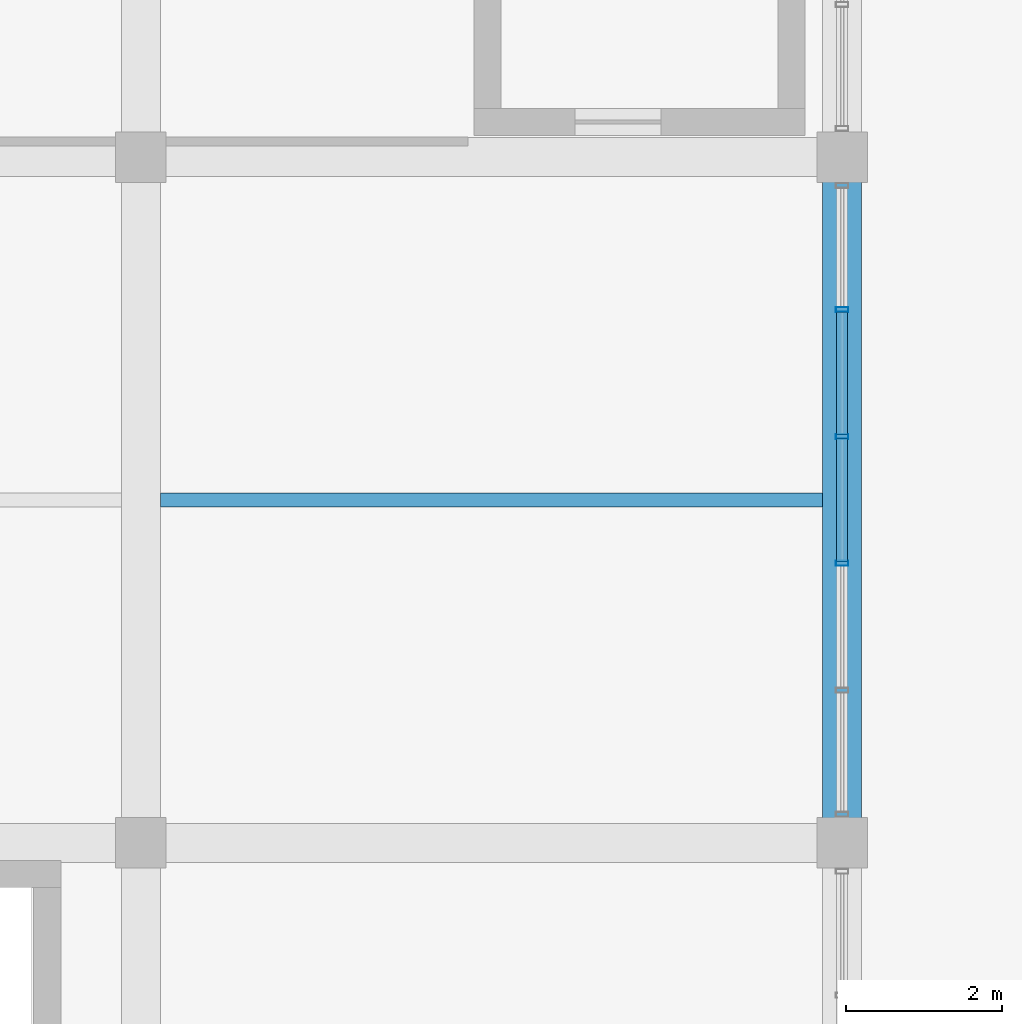
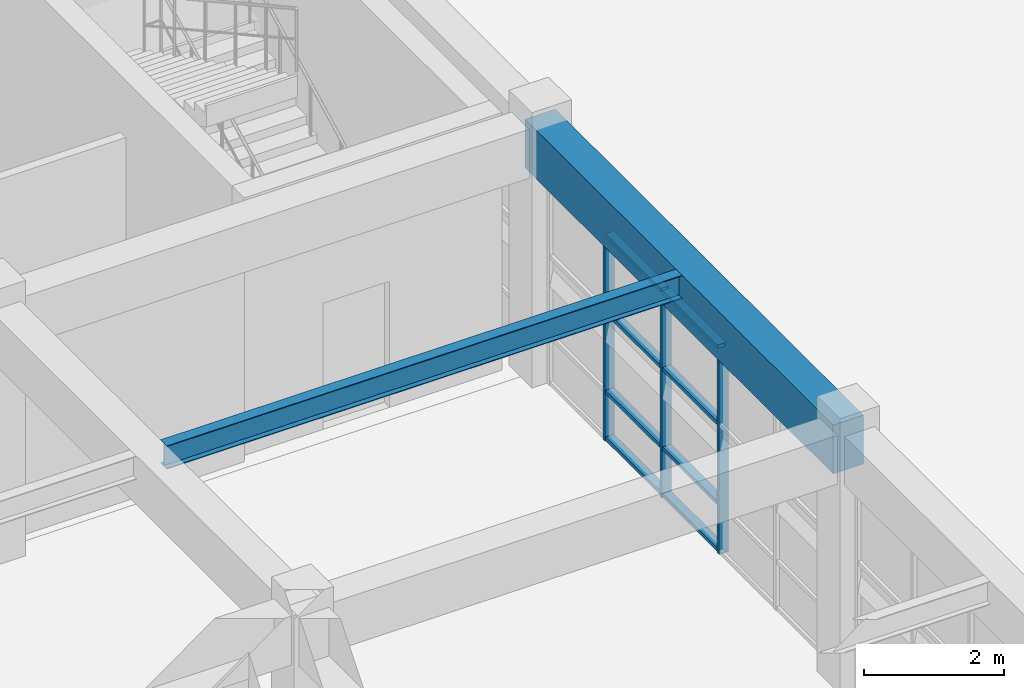
# One storey, part 11 of 99: 11 members, 2 beams, 1 element without a shape of its own.
"""IFC4 building model written with IfcOpenShell, lengths in metres."""

from ifc_helpers import new_model, si_unit, direction, frame, origin, origin_2d, place, context, subcontext, project, spatial, rectangle, hollow_rectangle, i_section, extrude, material, layer, layer_set, material_profile, profile_set, type_object, element, aggregate, save


model = new_model("IFC4")

# Units and contexts
model_context = context("Model", 3, precision=1e-05, world=origin(), true_north=direction((0.0, 1.0)))
body_context = subcontext(model_context, "Body", "Model", "MODEL_VIEW")
ifc_project = project(units=[si_unit("LENGTHUNIT", "METRE"), si_unit("AREAUNIT", "SQUARE_METRE"), si_unit("VOLUMEUNIT", "CUBIC_METRE"), si_unit("PLANEANGLEUNIT", "RADIAN"), si_unit("MASSUNIT", "GRAM", prefix="KILO")], contexts=[model_context])

# Site, building, storey
site_placement = place(None, origin())
site = spatial("IfcSite", under=ifc_project, at=site_placement, CompositionType="ELEMENT")
building_placement = place(site_placement, origin())
building = spatial("IfcBuilding", under=site, at=building_placement, Name="Ventoquebrada Cableway Terminal", CompositionType="ELEMENT")
storey_placement = place(building_placement, frame((0.0, 0.0, 9.60009765625)))
storey = spatial("IfcBuildingStorey", under=building, at=storey_placement, Name="L02", CompositionType="ELEMENT", Elevation=9.60009765625)

# Beam
ifc_material_1 = material(Name="Concrete C40/50", Category="concrete")
ifc_material_profile_1 = material_profile(ifc_material_1, rectangle(XDim=0.5, YDim=0.85009765625, at=origin_2d()), Name="RC-BM-500X850")
ifc_profile_set_1 = profile_set([ifc_material_profile_1], Name="Concrete C40/50")
beam_type_1 = type_object("IfcBeamType", Name="BM-RC04", PredefinedType="BEAM", material=ifc_profile_set_1)
beam_1_placement = place(storey_placement, frame((26.199951171875, 20.60009765625, 4.039794921875), z_axis=(0.0, 1.0, 0.0), x_axis=(-1.0, 0.0, 0.0)))
element("IfcBeam", 1, at=beam_1_placement, inside=storey, type_object=beam_type_1, Name="Primary frame girder FBM-0227", PredefinedType="BEAM", context=body_context, shape_type="SweptSolid", body=[
    extrude(rectangle(XDim=0.5, YDim=0.85009765625, at=origin_2d()), origin(), (0.0, 0.0, 1.0), 8.7998046875),
])

# Curtain wall, members
ifc_material_2 = material(Name="Anodized thermally-broken aluminium", Category="aluminium")
ifc_layer = layer(ifc_material_2, 0.159912109375)
ifc_layer_set = layer_set([ifc_layer], Name="Anodized thermally-broken aluminium")
curtain_wall_type = type_object("IfcCurtainWallType", Name="CW-T07", PredefinedType="USERDEFINED", material=ifc_layer_set)
curtain_wall_placement = place(storey_placement, origin())
curtain_wall = element("IfcCurtainWall", 2, at=curtain_wall_placement, inside=storey, type_object=curtain_wall_type, Name="Unitised glazed curtain wall CW-015", ObjectType="UNITISED CURTAIN WALL", PredefinedType="USERDEFINED")
ifc_material_profile_2 = material_profile(ifc_material_2, hollow_rectangle(XDim=0.06494140625, YDim=0.159912109375, WallThickness=0.00390625, at=origin_2d()), Name="CW-MUL-65X160")
ifc_profile_set_2 = profile_set([ifc_material_profile_2], Name="Anodized thermally-broken aluminium")
member_type_1 = type_object("IfcMemberType", Name="CWM-01", PredefinedType="MULLION", material=ifc_profile_set_2)
member_1_placement = place(storey_placement, frame((26.199951171875, 24.18603515625, -0.008056640625), z_axis=(0.0, 0.0, 1.0), x_axis=(0.0, 1.0, 0.0)))
member_1 = element("IfcMember", 3, at=member_1_placement, type_object=member_type_1, Name="Curtain wall mullion FML-0064", PredefinedType="MULLION", context=body_context, shape_type="SweptSolid", body=[
    extrude(hollow_rectangle(XDim=0.06494140625, YDim=0.159912109375, WallThickness=0.00390625, at=origin_2d()), origin(), (0.0, 0.0, 1.0), 3.623046875),
])
member_2_placement = place(storey_placement, frame((26.199951171875, 25.81396484375, -0.008056640625), z_axis=(0.0, 0.0, 1.0), x_axis=(0.0, 1.0, 0.0)))
member_2 = element("IfcMember", 4, at=member_2_placement, type_object=member_type_1, Name="Curtain wall mullion FML-0065", PredefinedType="MULLION", context=body_context, shape_type="SweptSolid", body=[
    extrude(hollow_rectangle(XDim=0.06494140625, YDim=0.159912109375, WallThickness=0.00390625, at=origin_2d()), origin(), (0.0, 0.0, 1.0), 3.623046875),
])
member_3_placement = place(storey_placement, frame((26.199951171875, 27.44189453125, -0.008056640625), z_axis=(0.0, 0.0, 1.0), x_axis=(0.0, 1.0, 0.0)))
member_3 = element("IfcMember", 5, at=member_3_placement, type_object=member_type_1, Name="Curtain wall mullion FML-0066", PredefinedType="MULLION", context=body_context, shape_type="SweptSolid", body=[
    extrude(hollow_rectangle(XDim=0.06494140625, YDim=0.159912109375, WallThickness=0.00390625, at=origin_2d()), origin(), (0.0, 0.0, 1.0), 3.623046875),
])
ifc_material_profile_3 = material_profile(ifc_material_2, hollow_rectangle(XDim=0.06494140625, YDim=0.139892578125, WallThickness=0.00390625, at=origin_2d()), Name="CW-TRN-65X140")
ifc_profile_set_3 = profile_set([ifc_material_profile_3], Name="Anodized thermally-broken aluminium")
member_type_2 = type_object("IfcMemberType", Name="CWT-01", PredefinedType="USERDEFINED", material=ifc_profile_set_3)
member_4_placement = place(storey_placement, frame((26.199951171875, 24.212890625, 0.034912109375), z_axis=(0.0, 1.0, 0.0), x_axis=(0.0, 0.0, 1.0)))
member_4 = element("IfcMember", 6, at=member_4_placement, type_object=member_type_2, Name="Curtain wall transom FTR-0188", ObjectType="TRANSOM", PredefinedType="USERDEFINED", context=body_context, shape_type="SweptSolid", body=[
    extrude(hollow_rectangle(XDim=0.06494140625, YDim=0.139892578125, WallThickness=0.00390625, at=origin_2d()), origin(), (0.0, 0.0, 1.0), 1.57421875),
])
member_5_placement = place(storey_placement, frame((26.199951171875, 24.212890625, 0.849853515625), z_axis=(0.0, 1.0, 0.0), x_axis=(0.0, 0.0, 1.0)))
member_5 = element("IfcMember", 7, at=member_5_placement, type_object=member_type_2, Name="Curtain wall transom FTR-0189", ObjectType="TRANSOM", PredefinedType="USERDEFINED", context=body_context, shape_type="SweptSolid", body=[
    extrude(hollow_rectangle(XDim=0.06494140625, YDim=0.139892578125, WallThickness=0.00390625, at=origin_2d()), origin(), (0.0, 0.0, 1.0), 1.57421875),
])
member_6_placement = place(storey_placement, frame((26.199951171875, 24.212890625, 2.23779296875), z_axis=(0.0, 1.0, 0.0), x_axis=(0.0, 0.0, 1.0)))
member_6 = element("IfcMember", 8, at=member_6_placement, type_object=member_type_2, Name="Curtain wall transom FTR-0190", ObjectType="TRANSOM", PredefinedType="USERDEFINED", context=body_context, shape_type="SweptSolid", body=[
    extrude(hollow_rectangle(XDim=0.06494140625, YDim=0.139892578125, WallThickness=0.00390625, at=origin_2d()), origin(), (0.0, 0.0, 1.0), 1.57421875),
])
member_7_placement = place(storey_placement, frame((26.199951171875, 24.212890625, 3.574951171875), z_axis=(0.0, 1.0, 0.0), x_axis=(0.0, 0.0, 1.0)))
member_7 = element("IfcMember", 9, at=member_7_placement, type_object=member_type_2, Name="Curtain wall transom FTR-0191", ObjectType="TRANSOM", PredefinedType="USERDEFINED", context=body_context, shape_type="SweptSolid", body=[
    extrude(hollow_rectangle(XDim=0.06494140625, YDim=0.139892578125, WallThickness=0.00390625, at=origin_2d()), origin(), (0.0, 0.0, 1.0), 1.57421875),
])
member_8_placement = place(storey_placement, frame((26.199951171875, 25.841064453125, 0.034912109375), z_axis=(0.0, 1.0, 0.0), x_axis=(0.0, 0.0, 1.0)))
member_8 = element("IfcMember", 10, at=member_8_placement, type_object=member_type_2, Name="Curtain wall transom FTR-0192", ObjectType="TRANSOM", PredefinedType="USERDEFINED", context=body_context, shape_type="SweptSolid", body=[
    extrude(hollow_rectangle(XDim=0.06494140625, YDim=0.139892578125, WallThickness=0.00390625, at=origin_2d()), origin(), (0.0, 0.0, 1.0), 1.573974609375),
])
member_9_placement = place(storey_placement, frame((26.199951171875, 25.841064453125, 0.849853515625), z_axis=(0.0, 1.0, 0.0), x_axis=(0.0, 0.0, 1.0)))
member_9 = element("IfcMember", 11, at=member_9_placement, type_object=member_type_2, Name="Curtain wall transom FTR-0193", ObjectType="TRANSOM", PredefinedType="USERDEFINED", context=body_context, shape_type="SweptSolid", body=[
    extrude(hollow_rectangle(XDim=0.06494140625, YDim=0.139892578125, WallThickness=0.00390625, at=origin_2d()), origin(), (0.0, 0.0, 1.0), 1.573974609375),
])
member_10_placement = place(storey_placement, frame((26.199951171875, 25.841064453125, 2.23779296875), z_axis=(0.0, 1.0, 0.0), x_axis=(0.0, 0.0, 1.0)))
member_10 = element("IfcMember", 12, at=member_10_placement, type_object=member_type_2, Name="Curtain wall transom FTR-0194", ObjectType="TRANSOM", PredefinedType="USERDEFINED", context=body_context, shape_type="SweptSolid", body=[
    extrude(hollow_rectangle(XDim=0.06494140625, YDim=0.139892578125, WallThickness=0.00390625, at=origin_2d()), origin(), (0.0, 0.0, 1.0), 1.573974609375),
])
member_11_placement = place(storey_placement, frame((26.199951171875, 25.841064453125, 3.574951171875), z_axis=(0.0, 1.0, 0.0), x_axis=(0.0, 0.0, 1.0)))
member_11 = element("IfcMember", 13, at=member_11_placement, type_object=member_type_2, Name="Curtain wall transom FTR-0195", ObjectType="TRANSOM", PredefinedType="USERDEFINED", context=body_context, shape_type="SweptSolid", body=[
    extrude(hollow_rectangle(XDim=0.06494140625, YDim=0.139892578125, WallThickness=0.00390625, at=origin_2d()), origin(), (0.0, 0.0, 1.0), 1.573974609375),
])
aggregate(curtain_wall, [member_1, member_2, member_3, member_4, member_5, member_6, member_7, member_8, member_9, member_10, member_11])

# Beam
ifc_material_3 = material(Name="Steel ASTM A992 Grade 50", Category="steel")
ifc_material_profile_4 = material_profile(ifc_material_3, i_section(OverallWidth=0.177978515625, OverallDepth=0.406005859375, WebThickness=0.0078125, FlangeThickness=0.0126953125, at=origin_2d()), Name="W16X40")
ifc_profile_set_4 = profile_set([ifc_material_profile_4], Name="Steel ASTM A992 Grade 50")
beam_type_2 = type_object("IfcBeamType", Name="JST-ST06", PredefinedType="JOIST", material=ifc_profile_set_4)
beam_2_placement = place(storey_placement, frame((17.449951171875, 25.0, 4.261962890625), z_axis=(1.0, 0.0, 0.0), x_axis=(0.0, 1.0, 0.0)))
element("IfcBeam", 14, at=beam_2_placement, inside=storey, type_object=beam_type_2, Name="Secondary floor joist JB-009", PredefinedType="JOIST", context=body_context, shape_type="SweptSolid", body=[
    extrude(i_section(OverallWidth=0.177978515625, OverallDepth=0.406005859375, WebThickness=0.0078125, FlangeThickness=0.0126953125, at=origin_2d()), origin(), (0.0, 0.0, 1.0), 8.5),
])

save(model, "model.ifc")
